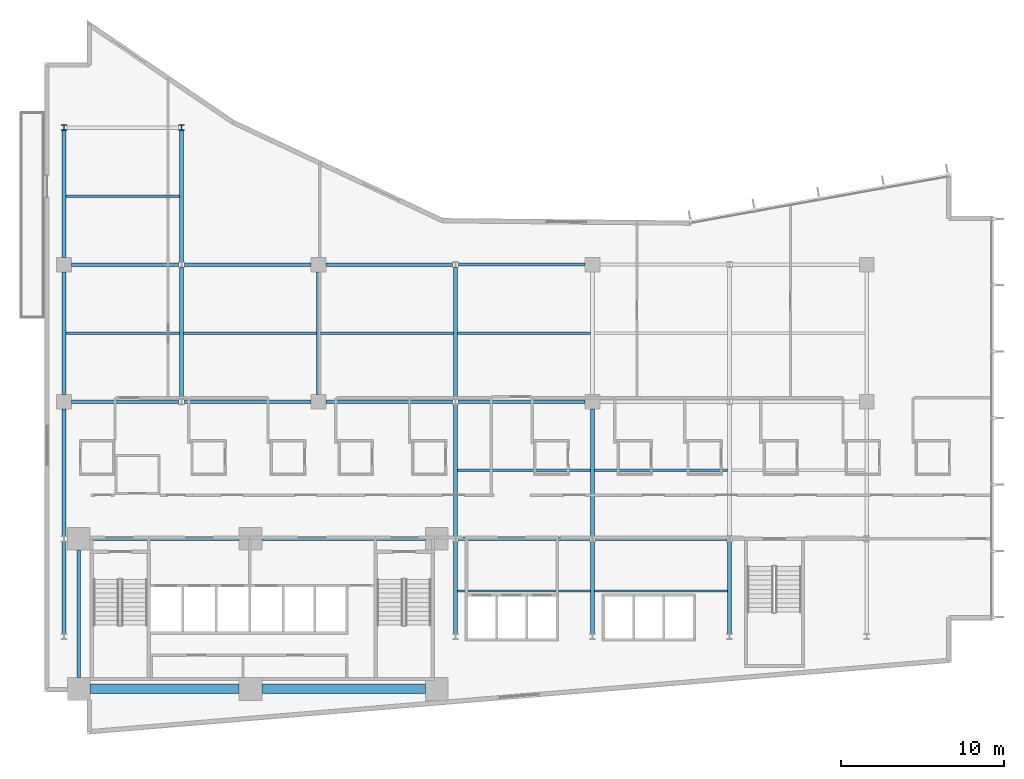
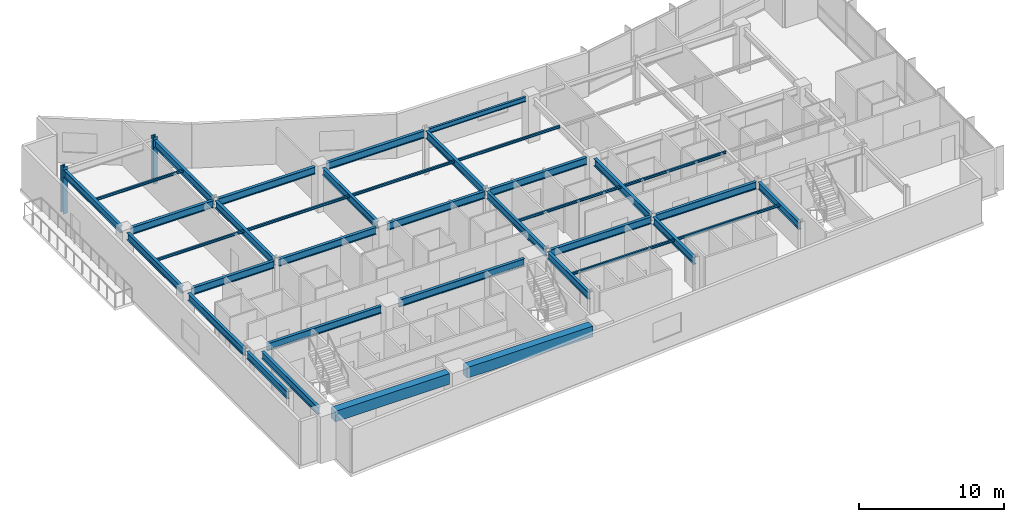
# One storey, part 3 of 21: 37 beams, 2 columns.
"""IFC4 building model written with IfcOpenShell, lengths in metres."""

from ifc_helpers import new_model, si_unit, direction, frame, origin, origin_2d, place, context, subcontext, project, spatial, rectangle, i_section, extrude, material, material_profile, profile_set, type_object, element, save


model = new_model("IFC4")

# Units and contexts
model_context = context("Model", 3, precision=1e-05, world=origin(), true_north=direction((0.0, 1.0)))
body_context = subcontext(model_context, "Body", "Model", "MODEL_VIEW")
ifc_project = project(units=[si_unit("LENGTHUNIT", "METRE"), si_unit("AREAUNIT", "SQUARE_METRE"), si_unit("VOLUMEUNIT", "CUBIC_METRE"), si_unit("PLANEANGLEUNIT", "RADIAN"), si_unit("MASSUNIT", "GRAM", prefix="KILO")], contexts=[model_context])

# Site, building, storey
site_placement = place(None, origin())
site = spatial("IfcSite", under=ifc_project, at=site_placement, CompositionType="ELEMENT")
building_placement = place(site_placement, origin())
building = spatial("IfcBuilding", under=site, at=building_placement, Name="Varnakote Quay Hospital", CompositionType="ELEMENT")
storey_placement = place(building_placement, frame((0.0, 0.0, 34.35009765625)))
storey = spatial("IfcBuildingStorey", under=building, at=storey_placement, Name="L08", CompositionType="ELEMENT", Elevation=34.35009765625)

# Columns
ifc_material_1 = material(Name="Structural steel AS/NZS 3678 Grade 350 (fy 340 MPa)", Category="steel")
ifc_material_profile_1 = material_profile(ifc_material_1, i_section(OverallWidth=0.35009765625, OverallDepth=0.340087890625, WebThickness=0.01611328125, FlangeThickness=0.028076171875, at=origin_2d()), Name="350WC197")
ifc_profile_set_1 = profile_set([ifc_material_profile_1], Name="Structural steel AS/NZS 3678 Grade 350 (fy 340 MPa)")
column_type = type_object("IfcColumnType", Name="COL-STL-350WC197", PredefinedType="COLUMN", material=ifc_profile_set_1)
for number, where, z_axis, x_axis, name in (
    (1, (1.199951171875, 37.199951171875, 0.0), (0.0, 0.0, 1.0), (1.0, 0.0, 0.0), "L08 Structural Column C-1-37"),
    (2, (8.39990234375, 37.199951171875, 0.0), (0.0, 0.0, 1.0), (1.0, 0.0, 0.0), "L08 Structural Column C-8-37"),
):
    element("IfcColumn", number, at=place(storey_placement, frame(where, z_axis=z_axis, x_axis=x_axis)), inside=storey, type_object=column_type, Name=name, PredefinedType="COLUMN", context=body_context, shape_type="SweptSolid", body=[
        extrude(i_section(OverallWidth=0.35009765625, OverallDepth=0.340087890625, WebThickness=0.01611328125, FlangeThickness=0.028076171875, at=origin_2d()), origin(), (0.0, 0.0, 1.0), 3.949951171875),
    ])

# Beams
ifc_material_2 = material(Name="Concrete N65 (f'c 65 MPa)", Category="concrete")
ifc_material_profile_2 = material_profile(ifc_material_2, rectangle(XDim=0.60009765625, YDim=0.89990234375, at=origin_2d()), Name="RC-BM-600x900")
ifc_profile_set_2 = profile_set([ifc_material_profile_2], Name="Concrete N65 (f'c 65 MPa)")
beam_type_1 = type_object("IfcBeamType", Name="BM-RC-600x900", PredefinedType="BEAM", material=ifc_profile_set_2)
beam_1_placement = place(storey_placement, frame((2.800048828125, 2.800048828125, 3.260009765625), z_axis=(1.0, 0.0, 0.0), x_axis=(0.0, 1.0, 0.0)))
element("IfcBeam", 3, at=beam_1_placement, inside=storey, type_object=beam_type_1, Name="L08 Core Rear Coupling Beam", PredefinedType="BEAM", context=body_context, shape_type="SweptSolid", body=[
    extrude(rectangle(XDim=0.60009765625, YDim=0.89990234375, at=origin_2d()), origin(), (0.0, 0.0, 1.0), 9.119873046875),
])
beam_2_placement = place(storey_placement, frame((13.320068359375, 2.800048828125, 3.260009765625), z_axis=(1.0, 0.0, 0.0), x_axis=(0.0, 1.0, 0.0)))
element("IfcBeam", 4, at=beam_2_placement, inside=storey, type_object=beam_type_1, Name="L08 Core Rear Coupling Beam", PredefinedType="BEAM", context=body_context, shape_type="SweptSolid", body=[
    extrude(rectangle(XDim=0.60009765625, YDim=0.89990234375, at=origin_2d()), origin(), (0.0, 0.0, 1.0), 10.030029296875),
])
ifc_material_3 = material(Name="Structural steel AS/NZS 3679.1 Grade 350 L0 (fy 340 MPa)", Category="steel")
ifc_material_profile_3 = material_profile(ifc_material_3, i_section(OverallWidth=0.22900390625, OverallDepth=0.612060546875, WebThickness=0.011962890625, FlangeThickness=0.01953125, FilletRadius=0.013916015625, at=origin_2d()), Name="610UB125")
ifc_profile_set_3 = profile_set([ifc_material_profile_3], Name="Structural steel AS/NZS 3679.1 Grade 350 L0 (fy 340 MPa)")
beam_type_2 = type_object("IfcBeamType", Name="BM-STL-610UB125", PredefinedType="BEAM", material=ifc_profile_set_3)
beam_3_placement = place(storey_placement, frame((2.800048828125, 12.0, 3.40380859375), z_axis=(1.0, 0.0, 0.0), x_axis=(0.0, 1.0, 0.0)))
element("IfcBeam", 5, at=beam_3_placement, inside=storey, type_object=beam_type_2, Name="L08 Primary Floor Beam", PredefinedType="BEAM", context=body_context, shape_type="SweptSolid", body=[
    extrude(i_section(OverallWidth=0.22900390625, OverallDepth=0.612060546875, WebThickness=0.011962890625, FlangeThickness=0.01953125, FilletRadius=0.013916015625, at=origin_2d()), origin(), (0.0, 0.0, 1.0), 9.119873046875),
])
beam_4_placement = place(storey_placement, frame((13.320068359375, 12.0, 3.40380859375), z_axis=(1.0, 0.0, 0.0), x_axis=(0.0, 1.0, 0.0)))
element("IfcBeam", 6, at=beam_4_placement, inside=storey, type_object=beam_type_2, Name="L08 Primary Floor Beam", PredefinedType="BEAM", context=body_context, shape_type="SweptSolid", body=[
    extrude(i_section(OverallWidth=0.22900390625, OverallDepth=0.612060546875, WebThickness=0.011962890625, FlangeThickness=0.01953125, FilletRadius=0.013916015625, at=origin_2d()), origin(), (0.0, 0.0, 1.0), 10.030029296875),
])
for number, where, z_axis, x_axis, name in (
    (7, (25.375, 12.0, 3.40380859375), (1.0, 0.0, 0.0), (0.0, 1.0, 0.0), "L08 Primary Floor Beam"),
    (8, (33.77490234375, 12.0, 3.40380859375), (1.0, 0.0, 0.0), (0.0, 1.0, 0.0), "L08 Primary Floor Beam"),
):
    element("IfcBeam", number, at=place(storey_placement, frame(where, z_axis=z_axis, x_axis=x_axis)), inside=storey, type_object=beam_type_2, Name=name, PredefinedType="BEAM", context=body_context, shape_type="SweptSolid", body=[
        extrude(i_section(OverallWidth=0.22900390625, OverallDepth=0.612060546875, WebThickness=0.011962890625, FlangeThickness=0.01953125, FilletRadius=0.013916015625, at=origin_2d()), origin(), (0.0, 0.0, 1.0), 8.050048828125),
    ])
beam_5_placement = place(storey_placement, frame((1.64990234375, 20.39990234375, 3.40380859375), z_axis=(1.0, 0.0, 0.0), x_axis=(0.0, 1.0, 0.0)))
element("IfcBeam", 9, at=beam_5_placement, inside=storey, type_object=beam_type_2, Name="L08 Primary Floor Beam", PredefinedType="BEAM", context=body_context, shape_type="SweptSolid", body=[
    extrude(i_section(OverallWidth=0.22900390625, OverallDepth=0.612060546875, WebThickness=0.011962890625, FlangeThickness=0.01953125, FilletRadius=0.013916015625, at=origin_2d()), origin(), (0.0, 0.0, 1.0), 6.5751953125),
])
beam_6_placement = place(storey_placement, frame((8.574951171875, 20.39990234375, 3.40380859375), z_axis=(1.0, 0.0, 0.0), x_axis=(0.0, 1.0, 0.0)))
element("IfcBeam", 10, at=beam_6_placement, inside=storey, type_object=beam_type_2, Name="L08 Primary Floor Beam", PredefinedType="BEAM", context=body_context, shape_type="SweptSolid", body=[
    extrude(i_section(OverallWidth=0.22900390625, OverallDepth=0.612060546875, WebThickness=0.011962890625, FlangeThickness=0.01953125, FilletRadius=0.013916015625, at=origin_2d()), origin(), (0.0, 0.0, 1.0), 7.775146484375),
])
for number, where, z_axis, x_axis, name in (
    (11, (17.25, 20.39990234375, 3.40380859375), (1.0, 0.0, 0.0), (0.0, 1.0, 0.0), "L08 Primary Floor Beam"),
    (12, (25.375, 20.39990234375, 3.40380859375), (1.0, 0.0, 0.0), (0.0, 1.0, 0.0), "L08 Primary Floor Beam"),
):
    element("IfcBeam", number, at=place(storey_placement, frame(where, z_axis=z_axis, x_axis=x_axis)), inside=storey, type_object=beam_type_2, Name=name, PredefinedType="BEAM", context=body_context, shape_type="SweptSolid", body=[
        extrude(i_section(OverallWidth=0.22900390625, OverallDepth=0.612060546875, WebThickness=0.011962890625, FlangeThickness=0.01953125, FilletRadius=0.013916015625, at=origin_2d()), origin(), (0.0, 0.0, 1.0), 7.77490234375),
    ])
beam_7_placement = place(storey_placement, frame((1.64990234375, 28.800048828125, 3.40380859375), z_axis=(1.0, 0.0, 0.0), x_axis=(0.0, 1.0, 0.0)))
element("IfcBeam", 13, at=beam_7_placement, inside=storey, type_object=beam_type_2, Name="L08 Primary Floor Beam", PredefinedType="BEAM", context=body_context, shape_type="SweptSolid", body=[
    extrude(i_section(OverallWidth=0.22900390625, OverallDepth=0.612060546875, WebThickness=0.011962890625, FlangeThickness=0.01953125, FilletRadius=0.013916015625, at=origin_2d()), origin(), (0.0, 0.0, 1.0), 6.5751953125),
])
beam_8_placement = place(storey_placement, frame((8.574951171875, 28.800048828125, 3.40380859375), z_axis=(1.0, 0.0, 0.0), x_axis=(0.0, 1.0, 0.0)))
element("IfcBeam", 14, at=beam_8_placement, inside=storey, type_object=beam_type_2, Name="L08 Primary Floor Beam", PredefinedType="BEAM", context=body_context, shape_type="SweptSolid", body=[
    extrude(i_section(OverallWidth=0.22900390625, OverallDepth=0.612060546875, WebThickness=0.011962890625, FlangeThickness=0.01953125, FilletRadius=0.013916015625, at=origin_2d()), origin(), (0.0, 0.0, 1.0), 7.775146484375),
])
beam_9_placement = place(storey_placement, frame((17.25, 28.800048828125, 3.40380859375), z_axis=(1.0, 0.0, 0.0), x_axis=(0.0, 1.0, 0.0)))
element("IfcBeam", 15, at=beam_9_placement, inside=storey, type_object=beam_type_2, Name="L08 Primary Floor Beam", PredefinedType="BEAM", context=body_context, shape_type="SweptSolid", body=[
    extrude(i_section(OverallWidth=0.22900390625, OverallDepth=0.612060546875, WebThickness=0.011962890625, FlangeThickness=0.01953125, FilletRadius=0.013916015625, at=origin_2d()), origin(), (0.0, 0.0, 1.0), 7.77490234375),
])
beam_10_placement = place(storey_placement, frame((1.199951171875, 6.169921875, 3.40380859375), z_axis=(0.0, 1.0, 0.0), x_axis=(-1.0, 0.0, 0.0)))
element("IfcBeam", 16, at=beam_10_placement, inside=storey, type_object=beam_type_2, Name="L08 Primary Tie Beam", PredefinedType="BEAM", context=body_context, shape_type="SweptSolid", body=[
    extrude(i_section(OverallWidth=0.22900390625, OverallDepth=0.612060546875, WebThickness=0.011962890625, FlangeThickness=0.01953125, FilletRadius=0.013916015625, at=origin_2d()), origin(), (0.0, 0.0, 1.0), 5.66015625),
])
beam_11_placement = place(storey_placement, frame((1.199951171875, 12.169921875, 3.40380859375), z_axis=(0.0, 1.0, 0.0), x_axis=(-1.0, 0.0, 0.0)))
element("IfcBeam", 17, at=beam_11_placement, inside=storey, type_object=beam_type_2, Name="L08 Primary Tie Beam", PredefinedType="BEAM", context=body_context, shape_type="SweptSolid", body=[
    extrude(i_section(OverallWidth=0.22900390625, OverallDepth=0.612060546875, WebThickness=0.011962890625, FlangeThickness=0.01953125, FilletRadius=0.013916015625, at=origin_2d()), origin(), (0.0, 0.0, 1.0), 7.780029296875),
])
beam_12_placement = place(storey_placement, frame((1.199951171875, 20.85009765625, 3.40380859375), z_axis=(0.0, 1.0, 0.0), x_axis=(-1.0, 0.0, 0.0)))
element("IfcBeam", 18, at=beam_12_placement, inside=storey, type_object=beam_type_2, Name="L08 Primary Tie Beam", PredefinedType="BEAM", context=body_context, shape_type="SweptSolid", body=[
    extrude(i_section(OverallWidth=0.22900390625, OverallDepth=0.612060546875, WebThickness=0.011962890625, FlangeThickness=0.01953125, FilletRadius=0.013916015625, at=origin_2d()), origin(), (0.0, 0.0, 1.0), 7.5),
])
beam_13_placement = place(storey_placement, frame((1.199951171875, 29.25, 3.40380859375), z_axis=(0.0, 1.0, 0.0), x_axis=(-1.0, 0.0, 0.0)))
element("IfcBeam", 19, at=beam_13_placement, inside=storey, type_object=beam_type_2, Name="L08 Primary Tie Beam", PredefinedType="BEAM", context=body_context, shape_type="SweptSolid", body=[
    extrude(i_section(OverallWidth=0.22900390625, OverallDepth=0.612060546875, WebThickness=0.011962890625, FlangeThickness=0.01953125, FilletRadius=0.013916015625, at=origin_2d()), origin(), (0.0, 0.0, 1.0), 7.780029296875),
])
beam_14_placement = place(storey_placement, frame((2.10009765625, 3.5, 3.40380859375), z_axis=(0.0, 1.0, 0.0), x_axis=(-1.0, 0.0, 0.0)))
element("IfcBeam", 20, at=beam_14_placement, inside=storey, type_object=beam_type_2, Name="L08 Primary Tie Beam", PredefinedType="BEAM", context=body_context, shape_type="SweptSolid", body=[
    extrude(i_section(OverallWidth=0.22900390625, OverallDepth=0.612060546875, WebThickness=0.011962890625, FlangeThickness=0.01953125, FilletRadius=0.013916015625, at=origin_2d()), origin(), (0.0, 0.0, 1.0), 7.800048828125),
])
beam_15_placement = place(storey_placement, frame((8.39990234375, 20.570068359375, 3.40380859375), z_axis=(0.0, 1.0, 0.0), x_axis=(-1.0, 0.0, 0.0)))
element("IfcBeam", 21, at=beam_15_placement, inside=storey, type_object=beam_type_2, Name="L08 Primary Tie Beam", PredefinedType="BEAM", context=body_context, shape_type="SweptSolid", body=[
    extrude(i_section(OverallWidth=0.22900390625, OverallDepth=0.612060546875, WebThickness=0.011962890625, FlangeThickness=0.01953125, FilletRadius=0.013916015625, at=origin_2d()), origin(), (0.0, 0.0, 1.0), 8.059814453125),
])
beam_16_placement = place(storey_placement, frame((8.39990234375, 28.969970703125, 3.40380859375), z_axis=(0.0, 1.0, 0.0), x_axis=(-1.0, 0.0, 0.0)))
element("IfcBeam", 22, at=beam_16_placement, inside=storey, type_object=beam_type_2, Name="L08 Primary Tie Beam", PredefinedType="BEAM", context=body_context, shape_type="SweptSolid", body=[
    extrude(i_section(OverallWidth=0.22900390625, OverallDepth=0.612060546875, WebThickness=0.011962890625, FlangeThickness=0.01953125, FilletRadius=0.013916015625, at=origin_2d()), origin(), (0.0, 0.0, 1.0), 8.06005859375),
])
beam_17_placement = place(storey_placement, frame((16.800048828125, 20.85009765625, 3.40380859375), z_axis=(0.0, 1.0, 0.0), x_axis=(-1.0, 0.0, 0.0)))
element("IfcBeam", 23, at=beam_17_placement, inside=storey, type_object=beam_type_2, Name="L08 Primary Tie Beam", PredefinedType="BEAM", context=body_context, shape_type="SweptSolid", body=[
    extrude(i_section(OverallWidth=0.22900390625, OverallDepth=0.612060546875, WebThickness=0.011962890625, FlangeThickness=0.01953125, FilletRadius=0.013916015625, at=origin_2d()), origin(), (0.0, 0.0, 1.0), 7.5),
])
beam_18_placement = place(storey_placement, frame((25.199951171875, 6.169921875, 3.40380859375), z_axis=(0.0, 1.0, 0.0), x_axis=(-1.0, 0.0, 0.0)))
element("IfcBeam", 24, at=beam_18_placement, inside=storey, type_object=beam_type_2, Name="L08 Primary Tie Beam", PredefinedType="BEAM", context=body_context, shape_type="SweptSolid", body=[
    extrude(i_section(OverallWidth=0.22900390625, OverallDepth=0.612060546875, WebThickness=0.011962890625, FlangeThickness=0.01953125, FilletRadius=0.013916015625, at=origin_2d()), origin(), (0.0, 0.0, 1.0), 5.66015625),
])
beam_19_placement = place(storey_placement, frame((25.199951171875, 12.169921875, 3.40380859375), z_axis=(0.0, 1.0, 0.0), x_axis=(-1.0, 0.0, 0.0)))
element("IfcBeam", 25, at=beam_19_placement, inside=storey, type_object=beam_type_2, Name="L08 Primary Tie Beam", PredefinedType="BEAM", context=body_context, shape_type="SweptSolid", body=[
    extrude(i_section(OverallWidth=0.22900390625, OverallDepth=0.612060546875, WebThickness=0.011962890625, FlangeThickness=0.01953125, FilletRadius=0.013916015625, at=origin_2d()), origin(), (0.0, 0.0, 1.0), 8.06005859375),
])
beam_20_placement = place(storey_placement, frame((25.199951171875, 20.570068359375, 3.40380859375), z_axis=(0.0, 1.0, 0.0), x_axis=(-1.0, 0.0, 0.0)))
element("IfcBeam", 26, at=beam_20_placement, inside=storey, type_object=beam_type_2, Name="L08 Primary Tie Beam", PredefinedType="BEAM", context=body_context, shape_type="SweptSolid", body=[
    extrude(i_section(OverallWidth=0.22900390625, OverallDepth=0.612060546875, WebThickness=0.011962890625, FlangeThickness=0.01953125, FilletRadius=0.013916015625, at=origin_2d()), origin(), (0.0, 0.0, 1.0), 8.059814453125),
])
beam_21_placement = place(storey_placement, frame((33.60009765625, 6.169921875, 3.40380859375), z_axis=(0.0, 1.0, 0.0), x_axis=(-1.0, 0.0, 0.0)))
element("IfcBeam", 27, at=beam_21_placement, inside=storey, type_object=beam_type_2, Name="L08 Primary Tie Beam", PredefinedType="BEAM", context=body_context, shape_type="SweptSolid", body=[
    extrude(i_section(OverallWidth=0.22900390625, OverallDepth=0.612060546875, WebThickness=0.011962890625, FlangeThickness=0.01953125, FilletRadius=0.013916015625, at=origin_2d()), origin(), (0.0, 0.0, 1.0), 5.66015625),
])
beam_22_placement = place(storey_placement, frame((33.60009765625, 12.169921875, 3.40380859375), z_axis=(0.0, 1.0, 0.0), x_axis=(-1.0, 0.0, 0.0)))
element("IfcBeam", 28, at=beam_22_placement, inside=storey, type_object=beam_type_2, Name="L08 Primary Tie Beam", PredefinedType="BEAM", context=body_context, shape_type="SweptSolid", body=[
    extrude(i_section(OverallWidth=0.22900390625, OverallDepth=0.612060546875, WebThickness=0.011962890625, FlangeThickness=0.01953125, FilletRadius=0.013916015625, at=origin_2d()), origin(), (0.0, 0.0, 1.0), 7.780029296875),
])
beam_23_placement = place(storey_placement, frame((42.0, 6.169921875, 3.40380859375), z_axis=(0.0, 1.0, 0.0), x_axis=(-1.0, 0.0, 0.0)))
element("IfcBeam", 29, at=beam_23_placement, inside=storey, type_object=beam_type_2, Name="L08 Primary Tie Beam", PredefinedType="BEAM", context=body_context, shape_type="SweptSolid", body=[
    extrude(i_section(OverallWidth=0.22900390625, OverallDepth=0.612060546875, WebThickness=0.011962890625, FlangeThickness=0.01953125, FilletRadius=0.013916015625, at=origin_2d()), origin(), (0.0, 0.0, 1.0), 5.66015625),
])
ifc_material_4 = material(Name="Structural steel AS/NZS 3679.1 Grade 350 L0 (fy 340 MPa)", Category="steel")
ifc_material_profile_4 = material_profile(ifc_material_4, i_section(OverallWidth=0.134033203125, OverallDepth=0.20703125, WebThickness=0.00634765625, FlangeThickness=0.009521484375, FilletRadius=0.0087890625, at=origin_2d()), Name="200UB29.8")
ifc_profile_set_4 = profile_set([ifc_material_profile_4], Name="Structural steel AS/NZS 3679.1 Grade 350 L0 (fy 340 MPa)")
beam_type_3 = type_object("IfcBeamType", Name="JST-STL-200UB29-8", PredefinedType="JOIST", material=ifc_profile_set_4)
beam_24_placement = place(storey_placement, frame((25.314453125, 8.800048828125, 3.6064453125), z_axis=(1.0, 0.0, 0.0), x_axis=(0.0, 1.0, 0.0)))
element("IfcBeam", 30, at=beam_24_placement, inside=storey, type_object=beam_type_3, Name="L08 Composite Floor Joist", PredefinedType="JOIST", context=body_context, shape_type="SweptSolid", body=[
    extrude(i_section(OverallWidth=0.134033203125, OverallDepth=0.20703125, WebThickness=0.00634765625, FlangeThickness=0.009521484375, FilletRadius=0.0087890625, at=origin_2d()), origin(), (0.0, 0.0, 1.0), 8.171142578125),
])
beam_25_placement = place(storey_placement, frame((33.714599609375, 8.800048828125, 3.6064453125), z_axis=(1.0, 0.0, 0.0), x_axis=(0.0, 1.0, 0.0)))
element("IfcBeam", 31, at=beam_25_placement, inside=storey, type_object=beam_type_3, Name="L08 Composite Floor Joist", PredefinedType="JOIST", context=body_context, shape_type="SweptSolid", body=[
    extrude(i_section(OverallWidth=0.134033203125, OverallDepth=0.20703125, WebThickness=0.00634765625, FlangeThickness=0.009521484375, FilletRadius=0.0087890625, at=origin_2d()), origin(), (0.0, 0.0, 1.0), 8.1708984375),
])
beam_26_placement = place(storey_placement, frame((25.314453125, 16.199951171875, 3.6064453125), z_axis=(1.0, 0.0, 0.0), x_axis=(0.0, 1.0, 0.0)))
element("IfcBeam", 32, at=beam_26_placement, inside=storey, type_object=beam_type_3, Name="L08 Composite Floor Joist", PredefinedType="JOIST", context=body_context, shape_type="SweptSolid", body=[
    extrude(i_section(OverallWidth=0.134033203125, OverallDepth=0.20703125, WebThickness=0.00634765625, FlangeThickness=0.009521484375, FilletRadius=0.0087890625, at=origin_2d()), origin(), (0.0, 0.0, 1.0), 8.171142578125),
])
beam_27_placement = place(storey_placement, frame((33.714599609375, 16.199951171875, 3.6064453125), z_axis=(1.0, 0.0, 0.0), x_axis=(0.0, 1.0, 0.0)))
element("IfcBeam", 33, at=beam_27_placement, inside=storey, type_object=beam_type_3, Name="L08 Composite Floor Joist", PredefinedType="JOIST", context=body_context, shape_type="SweptSolid", body=[
    extrude(i_section(OverallWidth=0.134033203125, OverallDepth=0.20703125, WebThickness=0.00634765625, FlangeThickness=0.009521484375, FilletRadius=0.0087890625, at=origin_2d()), origin(), (0.0, 0.0, 1.0), 8.1708984375),
])
beam_28_placement = place(storey_placement, frame((1.314453125, 24.60009765625, 3.6064453125), z_axis=(1.0, 0.0, 0.0), x_axis=(0.0, 1.0, 0.0)))
element("IfcBeam", 34, at=beam_28_placement, inside=storey, type_object=beam_type_3, Name="L08 Composite Floor Joist", PredefinedType="JOIST", context=body_context, shape_type="SweptSolid", body=[
    extrude(i_section(OverallWidth=0.134033203125, OverallDepth=0.20703125, WebThickness=0.00634765625, FlangeThickness=0.009521484375, FilletRadius=0.0087890625, at=origin_2d()), origin(), (0.0, 0.0, 1.0), 6.970947265625),
])
beam_29_placement = place(storey_placement, frame((8.514404296875, 24.60009765625, 3.6064453125), z_axis=(1.0, 0.0, 0.0), x_axis=(0.0, 1.0, 0.0)))
element("IfcBeam", 35, at=beam_29_placement, inside=storey, type_object=beam_type_3, Name="L08 Composite Floor Joist", PredefinedType="JOIST", context=body_context, shape_type="SweptSolid", body=[
    extrude(i_section(OverallWidth=0.134033203125, OverallDepth=0.20703125, WebThickness=0.00634765625, FlangeThickness=0.009521484375, FilletRadius=0.0087890625, at=origin_2d()), origin(), (0.0, 0.0, 1.0), 8.171142578125),
])
beam_30_placement = place(storey_placement, frame((16.91455078125, 24.60009765625, 3.6064453125), z_axis=(1.0, 0.0, 0.0), x_axis=(0.0, 1.0, 0.0)))
element("IfcBeam", 36, at=beam_30_placement, inside=storey, type_object=beam_type_3, Name="L08 Composite Floor Joist", PredefinedType="JOIST", context=body_context, shape_type="SweptSolid", body=[
    extrude(i_section(OverallWidth=0.134033203125, OverallDepth=0.20703125, WebThickness=0.00634765625, FlangeThickness=0.009521484375, FilletRadius=0.0087890625, at=origin_2d()), origin(), (0.0, 0.0, 1.0), 8.1708984375),
])
beam_31_placement = place(storey_placement, frame((25.314453125, 24.60009765625, 3.6064453125), z_axis=(1.0, 0.0, 0.0), x_axis=(0.0, 1.0, 0.0)))
element("IfcBeam", 37, at=beam_31_placement, inside=storey, type_object=beam_type_3, Name="L08 Composite Floor Joist", PredefinedType="JOIST", context=body_context, shape_type="SweptSolid", body=[
    extrude(i_section(OverallWidth=0.134033203125, OverallDepth=0.20703125, WebThickness=0.00634765625, FlangeThickness=0.009521484375, FilletRadius=0.0087890625, at=origin_2d()), origin(), (0.0, 0.0, 1.0), 8.171142578125),
])
beam_32_placement = place(storey_placement, frame((1.314453125, 33.0, 3.6064453125), z_axis=(1.0, 0.0, 0.0), x_axis=(0.0, 1.0, 0.0)))
element("IfcBeam", 38, at=beam_32_placement, inside=storey, type_object=beam_type_3, Name="L08 Composite Floor Joist", PredefinedType="JOIST", context=body_context, shape_type="SweptSolid", body=[
    extrude(i_section(OverallWidth=0.134033203125, OverallDepth=0.20703125, WebThickness=0.00634765625, FlangeThickness=0.009521484375, FilletRadius=0.0087890625, at=origin_2d()), origin(), (0.0, 0.0, 1.0), 6.970947265625),
])
ifc_material_5 = material(Name="Structural steel AS/NZS 3679.1 Grade 350 L0 (fy 340 MPa)", Category="steel")
ifc_material_profile_5 = material_profile(ifc_material_5, i_section(OverallWidth=0.177978515625, OverallDepth=0.406005859375, WebThickness=0.0078125, FlangeThickness=0.0126953125, FilletRadius=0.011474609375, at=origin_2d()), Name="410UB59.7")
ifc_profile_set_5 = profile_set([ifc_material_profile_5], Name="Structural steel AS/NZS 3679.1 Grade 350 L0 (fy 340 MPa)")
beam_type_4 = type_object("IfcBeamType", Name="SPN-STL-410UB59-7", PredefinedType="SPANDREL", material=ifc_profile_set_5)
beam_33_placement = place(storey_placement, frame((25.375, 28.800048828125, 3.5068359375), z_axis=(1.0, 0.0, 0.0), x_axis=(0.0, 1.0, 0.0)))
element("IfcBeam", 39, at=beam_33_placement, inside=storey, type_object=beam_type_4, Name="L08 Perimeter Spandrel Beam", PredefinedType="SPANDREL", context=body_context, shape_type="SweptSolid", body=[
    extrude(i_section(OverallWidth=0.177978515625, OverallDepth=0.406005859375, WebThickness=0.0078125, FlangeThickness=0.0126953125, FilletRadius=0.011474609375, at=origin_2d()), origin(), (0.0, 0.0, 1.0), 7.77490234375),
])

save(model, "model.ifc")
